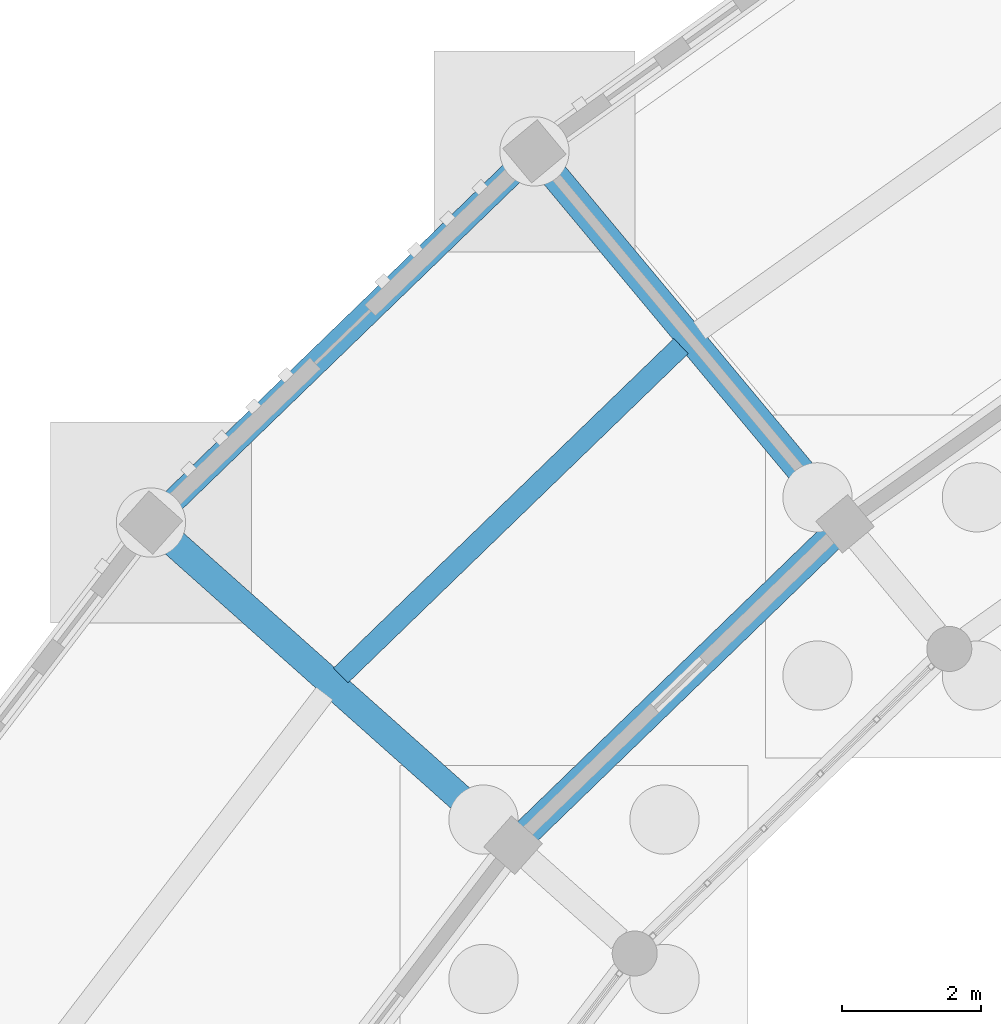
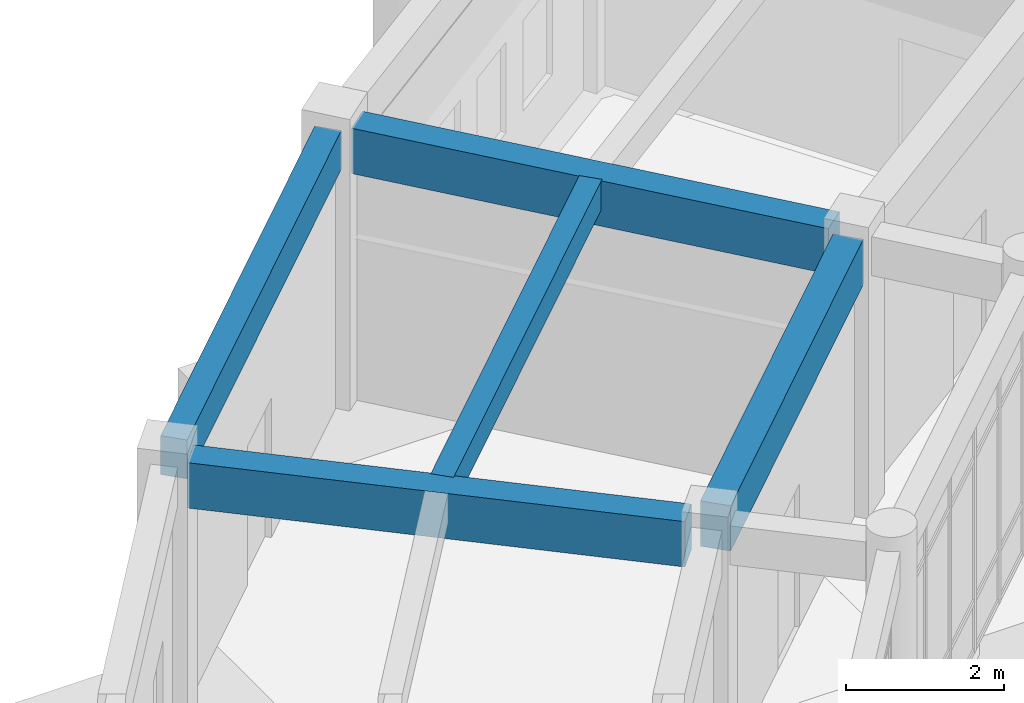
# One storey, part 69 of 153: 5 beams.
"""IFC4 building model written with IfcOpenShell, lengths in metres."""

from ifc_helpers import new_model, si_unit, direction, frame, origin, origin_2d, place, context, subcontext, project, spatial, rectangle, extrude, material, material_profile, profile_set, type_object, element, save


model = new_model("IFC4")

# Units and contexts
model_context = context("Model", 3, precision=1e-05, world=origin(), true_north=direction((0.0, 1.0)))
body_context = subcontext(model_context, "Body", "Model", "MODEL_VIEW")
ifc_project = project(units=[si_unit("LENGTHUNIT", "METRE"), si_unit("AREAUNIT", "SQUARE_METRE"), si_unit("VOLUMEUNIT", "CUBIC_METRE"), si_unit("PLANEANGLEUNIT", "RADIAN"), si_unit("MASSUNIT", "GRAM", prefix="KILO")], contexts=[model_context])

# Site, building, storey
site_placement = place(None, origin())
site = spatial("IfcSite", under=ifc_project, at=site_placement, CompositionType="ELEMENT")
building_placement = place(site_placement, origin())
building = spatial("IfcBuilding", under=site, at=building_placement, Name="Celadon Cloister-Ring School", CompositionType="ELEMENT")
storey_placement = place(building_placement, origin())
storey = spatial("IfcBuildingStorey", under=building, at=storey_placement, Name="L00", CompositionType="ELEMENT", Elevation=0.0)

# Beams
ifc_material_1 = material(Name="Concrete C35/45", Category="concrete")
ifc_material_profile_1 = material_profile(ifc_material_1, rectangle(XDim=0.39990234375, YDim=0.699951171875, at=origin_2d()), Name="RC400X700")
ifc_profile_set_1 = profile_set([ifc_material_profile_1], Name="Concrete C35/45")
beam_type_1 = type_object("IfcBeamType", Name="GT-03", PredefinedType="USERDEFINED", material=ifc_profile_set_1)
beam_1_placement = place(storey_placement, frame((53.89501953125, 98.7109375, 3.929931640625), z_axis=(0.640318943217, -0.768109140003, 0.0), x_axis=(0.768109140003, 0.640318943217, 0.0)))
element("IfcBeam", 1, at=beam_1_placement, inside=storey, type_object=beam_type_1, Name="Beam 0003", ObjectType="GIRDER", PredefinedType="USERDEFINED", context=body_context, shape_type="SweptSolid", body=[
    extrude(rectangle(XDim=0.39990234375, YDim=0.699951171875, at=origin_2d()), origin(), (0.0, 0.0, 1.0), 6.425048828125),
])
beam_2_placement = place(storey_placement, frame((48.39208984375, 93.384033203125, 3.929931640625), z_axis=(0.746775820792, -0.665075840398, 0.0), x_axis=(0.665075840398, 0.746775820792, 0.0)))
element("IfcBeam", 2, at=beam_2_placement, inside=storey, type_object=beam_type_1, Name="Beam 0005", ObjectType="GIRDER", PredefinedType="USERDEFINED", context=body_context, shape_type="SweptSolid", body=[
    extrude(rectangle(XDim=0.39990234375, YDim=0.699951171875, at=origin_2d()), origin(), (0.0, 0.0, 1.0), 6.4248046875),
])
beam_3_placement = place(storey_placement, frame((57.987060546875, 93.3740234375, 3.929931640625), z_axis=(-0.718371111719, -0.695660079239, 0.0), x_axis=(0.695660079239, -0.718371111719, 0.0)))
element("IfcBeam", 3, at=beam_3_placement, inside=storey, type_object=beam_type_1, Name="Beam 0074", ObjectType="GIRDER", PredefinedType="USERDEFINED", context=body_context, shape_type="SweptSolid", body=[
    extrude(rectangle(XDim=0.39990234375, YDim=0.699951171875, at=origin_2d()), origin(), (0.0, 0.0, 1.0), 6.11669921875),
])
ifc_material_2 = material(Name="Concrete C35/45", Category="concrete")
ifc_material_profile_2 = material_profile(ifc_material_2, rectangle(XDim=0.300048828125, YDim=0.449951171875, at=origin_2d()), Name="RC300X450")
ifc_profile_set_2 = profile_set([ifc_material_profile_2], Name="Concrete C35/45")
beam_type_2 = type_object("IfcBeamType", Name="JT-01", PredefinedType="JOIST", material=ifc_profile_set_2)
beam_4_placement = place(storey_placement, frame((55.818115234375, 96.131103515625, 4.054931640625), z_axis=(-0.718568166396, -0.695456533683, 0.0), x_axis=(0.695456533683, -0.718568166396, 0.0)))
element("IfcBeam", 4, at=beam_4_placement, inside=storey, type_object=beam_type_2, Name="Beam 0076", PredefinedType="JOIST", context=body_context, shape_type="SweptSolid", body=[
    extrude(rectangle(XDim=0.300048828125, YDim=0.449951171875, at=origin_2d()), origin(), (0.0, 0.0, 1.0), 6.834716796875),
])
ifc_material_3 = material(Name="Concrete C35/45", Category="concrete")
ifc_material_profile_3 = material_profile(ifc_material_3, rectangle(XDim=0.35009765625, YDim=0.60009765625, at=origin_2d()), Name="RC350X600")
ifc_profile_set_3 = profile_set([ifc_material_profile_3], Name="Concrete C35/45")
beam_type_3 = type_object("IfcBeamType", Name="SP-01", PredefinedType="SPANDREL", material=ifc_profile_set_3)
beam_5_placement = place(storey_placement, frame((53.487060546875, 98.73193359375, 3.97998046875), z_axis=(-0.718563347937, -0.695461512236, 0.0), x_axis=(0.695461512236, -0.718563347937, 0.0)))
element("IfcBeam", 5, at=beam_5_placement, inside=storey, type_object=beam_type_3, Name="Beam 0073", PredefinedType="SPANDREL", context=body_context, shape_type="SweptSolid", body=[
    extrude(rectangle(XDim=0.35009765625, YDim=0.60009765625, at=origin_2d()), origin(), (0.0, 0.0, 1.0), 7.101806640625),
])

save(model, "model.ifc")
